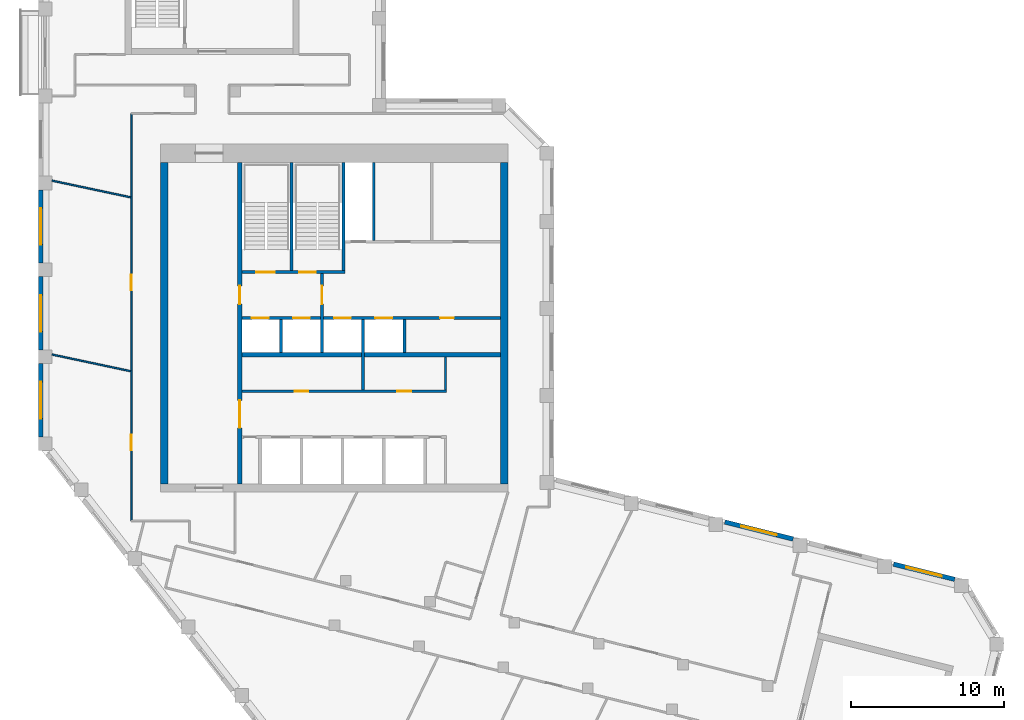
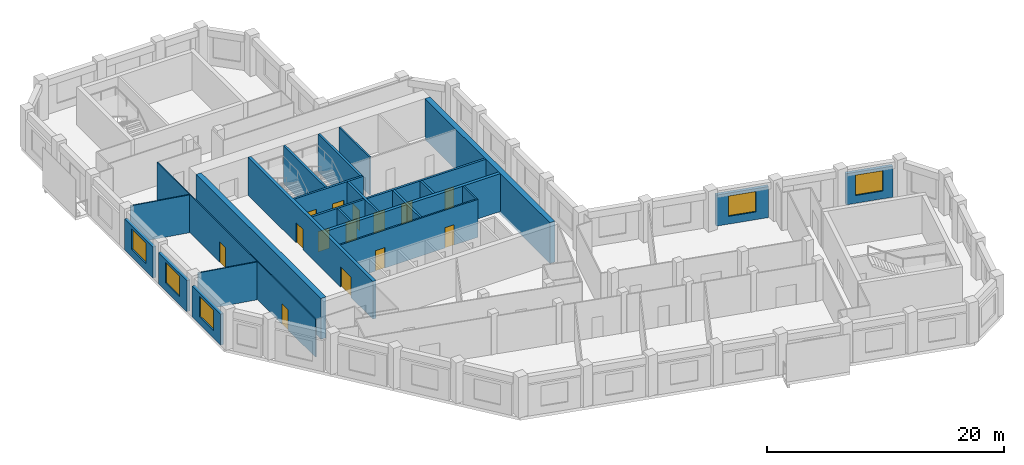
# One storey, part 5 of 8: 23 walls, 14 doors, 5 windows, 19 openings.
"""IFC4 building model written with IfcOpenShell, lengths in metres."""

from ifc_helpers import new_model, si_unit, direction, frame, frame_2d, origin, place, context, subcontext, project, spatial, rectangle, extrude, material, layer, layer_set, type_object, element, fill, save


model = new_model("IFC4")

# Units and contexts
model_context = context("Model", 3, precision=1e-05, world=origin(), true_north=direction((0.0, 1.0)))
body_context = subcontext(model_context, "Body", "Model", "MODEL_VIEW")
ifc_project = project(units=[si_unit("LENGTHUNIT", "METRE"), si_unit("AREAUNIT", "SQUARE_METRE"), si_unit("VOLUMEUNIT", "CUBIC_METRE"), si_unit("PLANEANGLEUNIT", "RADIAN"), si_unit("MASSUNIT", "GRAM", prefix="KILO")], contexts=[model_context])

# Site, building, storey
site_placement = place(None, origin())
site = spatial("IfcSite", under=ifc_project, at=site_placement, CompositionType="ELEMENT")
building_placement = place(site_placement, origin())
building = spatial("IfcBuilding", under=site, at=building_placement, Name="Meshkara Civic Tower", CompositionType="ELEMENT")
storey_placement = place(building_placement, frame((0.0, 0.0, 366.60009765625)))
storey = spatial("IfcBuildingStorey", under=building, at=storey_placement, Name="L84", CompositionType="ELEMENT", Elevation=366.60009765625)

# Wall, openings, doors
ifc_material_1 = material(Name="Blockwork", Category="masonry")
ifc_layer_1 = layer(ifc_material_1, 0.14990234375)
ifc_layer_set_1 = layer_set([ifc_layer_1], Name="Core partition 150")
wall_type_1 = type_object("IfcWallType", Name="Core partition 150", PredefinedType="PARTITIONING", material=ifc_layer_set_1)
wall_1_placement = place(storey_placement, frame((13.35009765625, 20.699951171875, 0.0), z_axis=(0.0, 0.0, 1.0), x_axis=(1.0, 0.0, 0.0)))
wall_1 = element("IfcWall", 1, at=wall_1_placement, inside=storey, type_object=wall_type_1, Name="L84-C006", PredefinedType="PARTITIONING", context=body_context, shape_type="SweptSolid", body=[
    extrude(rectangle(XDim=13.4248046875, YDim=0.14990234375, at=frame_2d((6.71240234375, 0.0))), origin(), (0.0, 0.0, 1.0), 3.89990234375),
])
opening_1_placement = place(wall_1_placement, frame((3.449951171875, 0.0, 0.0)))
opening_1 = element("IfcOpeningElement", 2, at=opening_1_placement, cuts=wall_1, Name="Opening L84-K011", PredefinedType="OPENING", context=body_context, shape_type="SweptSolid", body=[
    extrude(rectangle(XDim=0.89990234375, YDim=2.10009765625, at=frame_2d((0.449951171875, 1.050048828125))), frame((0.0, 0.0849609375, 0.0), z_axis=(0.0, -1.0, 0.0), x_axis=(1.0, 0.0, 0.0)), (0.0, 0.0, 1.0), 0.169921875),
])
opening_2_placement = place(wall_1_placement, frame((10.199951171875, 0.0, 0.0)))
opening_2 = element("IfcOpeningElement", 3, at=opening_2_placement, cuts=wall_1, Name="Opening L84-K012", PredefinedType="OPENING", context=body_context, shape_type="SweptSolid", body=[
    extrude(rectangle(XDim=0.89990234375, YDim=2.10009765625, at=frame_2d((0.449951171875, 1.050048828125))), frame((0.0, 0.0849609375, 0.0), z_axis=(0.0, -1.0, 0.0), x_axis=(1.0, 0.0, 0.0)), (0.0, 0.0, 1.0), 0.169921875),
])
ifc_material_2 = material(Name="Timber door leaf in steel frame", Category="steel")
door_type_1 = type_object("IfcDoorType", Name="Core room door 900", OperationType="SINGLE_SWING_LEFT", PredefinedType="DOOR", material=ifc_material_2)
door_1_placement = place(opening_1_placement, origin())
door_1 = element("IfcDoor", 4, at=door_1_placement, inside=storey, type_object=door_type_1, Name="L84-K011", OperationType="SINGLE_SWING_RIGHT", OverallHeight=2.10009765625, OverallWidth=0.89990234375, PredefinedType="DOOR", context=body_context, shape_type="SweptSolid", body=[
    extrude(rectangle(XDim=0.89990234375, YDim=2.10009765625, at=frame_2d((0.449951171875, 1.050048828125))), frame((0.0, 0.02490234375, 0.0), z_axis=(0.0, -1.0, 0.0), x_axis=(1.0, 0.0, 0.0)), (0.0, 0.0, 1.0), 0.050048828125),
])
fill(opening_1, door_1)
door_2_placement = place(opening_2_placement, origin())
door_2 = element("IfcDoor", 5, at=door_2_placement, inside=storey, type_object=door_type_1, Name="L84-K012", OperationType="SINGLE_SWING_RIGHT", OverallHeight=2.10009765625, OverallWidth=0.89990234375, PredefinedType="DOOR", context=body_context, shape_type="SweptSolid", body=[
    extrude(rectangle(XDim=0.89990234375, YDim=2.10009765625, at=frame_2d((0.449951171875, 1.050048828125))), frame((0.0, 0.02490234375, 0.0), z_axis=(0.0, -1.0, 0.0), x_axis=(1.0, 0.0, 0.0)), (0.0, 0.0, 1.0), 0.050048828125),
])
fill(opening_2, door_2)

# Walls
wall_2_placement = place(storey_placement, frame((22.0, 30.574951171875, 0.0), z_axis=(0.0, 0.0, 1.0), x_axis=(0.0, 1.0, 0.0)))
element("IfcWall", 6, at=wall_2_placement, inside=storey, type_object=wall_type_1, Name="L84-C020", PredefinedType="PARTITIONING", context=body_context, shape_type="SweptSolid", body=[
    extrude(rectangle(XDim=5.125, YDim=0.14990234375, at=frame_2d((2.5625, 0.0))), origin(), (0.0, 0.0, 1.0), 3.89990234375),
])
wall_3_placement = place(storey_placement, frame((26.699951171875, 20.77490234375, 0.0), z_axis=(0.0, 0.0, 1.0), x_axis=(0.0, 1.0, 0.0)))
element("IfcWall", 7, at=wall_3_placement, inside=storey, type_object=wall_type_1, Name="L84-C026", PredefinedType="PARTITIONING", context=body_context, shape_type="SweptSolid", body=[
    extrude(rectangle(XDim=2.175048828125, YDim=0.14990234375, at=frame_2d((1.08740234375, 0.0))), origin(), (0.0, 0.0, 1.0), 3.89990234375),
])
ifc_material_3 = material(Name="Concrete C50", Category="concrete")
ifc_layer_2 = layer(ifc_material_3, 0.5)
ifc_layer_set_2 = layer_set([ifc_layer_2], Name="Core ring wall 500 C50")
wall_type_2 = type_object("IfcWallType", Name="Core ring wall 500 C50", PredefinedType="SHEAR", material=ifc_layer_set_2)
for number, where, z_axis, x_axis, name in (
    (8, (8.25, 14.60009765625, -0.300048828125), (0.0, 0.0, 1.0), (0.0, 1.0, 0.0), "L84-C003"),
    (9, (30.550048828125, 14.60009765625, -0.300048828125), (0.0, 0.0, 1.0), (0.0, 1.0, 0.0), "L84-C004"),
):
    element("IfcWall", number, at=place(storey_placement, frame(where, z_axis=z_axis, x_axis=x_axis)), inside=storey, type_object=wall_type_2, Name=name, PredefinedType="SHEAR", context=body_context, shape_type="SweptSolid", body=[
        extrude(rectangle(XDim=21.099853515625, YDim=0.5, at=frame_2d((10.5498046875, 0.0))), origin(), (0.0, 0.0, 1.0), 4.199951171875),
    ])
ifc_material_4 = material(Name="Concrete C50", Category="concrete")
ifc_layer_3 = layer(ifc_material_4, 0.300048828125)
ifc_layer_set_3 = layer_set([ifc_layer_3], Name="Core shear wall 300 C50")
wall_type_3 = type_object("IfcWallType", Name="Core shear wall 300 C50", PredefinedType="SHEAR", material=ifc_layer_set_3)
wall_4_placement = place(storey_placement, frame((13.35009765625, 23.10009765625, 0.0), z_axis=(0.0, 0.0, 1.0), x_axis=(1.0, 0.0, 0.0)))
element("IfcWall", 10, at=wall_4_placement, inside=storey, type_object=wall_type_3, Name="L84-C007", PredefinedType="SHEAR", context=body_context, shape_type="SweptSolid", body=[
    extrude(rectangle(XDim=16.949951171875, YDim=0.300048828125, at=frame_2d((8.47509765625, 0.0))), origin(), (0.0, 0.0, 1.0), 3.89990234375),
])

# Wall, openings, doors
wall_5_placement = place(storey_placement, frame((13.199951171875, 14.60009765625, 0.0), z_axis=(0.0, 0.0, 1.0), x_axis=(0.0, 1.0, 0.0)))
wall_5 = element("IfcWall", 11, at=wall_5_placement, inside=storey, type_object=wall_type_3, Name="L84-C011", PredefinedType="SHEAR", context=body_context, shape_type="SweptSolid", body=[
    extrude(rectangle(XDim=21.099853515625, YDim=0.300048828125, at=frame_2d((10.5498046875, 0.0))), origin(), (0.0, 0.0, 1.0), 3.89990234375),
])
opening_3_placement = place(wall_5_placement, frame((3.699951171875, 0.0, 0.0)))
opening_3 = element("IfcOpeningElement", 12, at=opening_3_placement, cuts=wall_5, Name="Opening L84-K019", PredefinedType="OPENING", context=body_context, shape_type="SweptSolid", body=[
    extrude(rectangle(XDim=1.800048828125, YDim=2.10009765625, at=frame_2d((0.89990234375, 1.050048828125))), frame((0.0, 0.159912109375, 0.0), z_axis=(0.0, -1.0, 0.0), x_axis=(1.0, 0.0, 0.0)), (0.0, 0.0, 1.0), 0.320068359375),
])
opening_4_placement = place(wall_5_placement, frame((11.800048828125, 0.0, 0.0)))
opening_4 = element("IfcOpeningElement", 13, at=opening_4_placement, cuts=wall_5, Name="Opening L84-K020", PredefinedType="OPENING", context=body_context, shape_type="SweptSolid", body=[
    extrude(rectangle(XDim=1.199951171875, YDim=2.10009765625, at=frame_2d((0.60009765625, 1.050048828125))), frame((0.0, 0.159912109375, 0.0), z_axis=(0.0, -1.0, 0.0), x_axis=(1.0, 0.0, 0.0)), (0.0, 0.0, 1.0), 0.320068359375),
])
ifc_material_5 = material(Name="Fire-rated door leaf in steel frame", Category="steel")
door_type_2 = type_object("IfcDoorType", Name="Core double door 1800 EI 60", OperationType="DOUBLE_DOOR_SINGLE_SWING", PredefinedType="DOOR", material=ifc_material_5)
door_3_placement = place(opening_3_placement, origin())
door_3 = element("IfcDoor", 14, at=door_3_placement, inside=storey, type_object=door_type_2, Name="L84-K019", OperationType="DOUBLE_DOOR_SINGLE_SWING", OverallHeight=2.10009765625, OverallWidth=1.800048828125, PredefinedType="DOOR", context=body_context, shape_type="SweptSolid", body=[
    extrude(rectangle(XDim=1.800048828125, YDim=2.10009765625, at=frame_2d((0.89990234375, 1.050048828125))), frame((0.0, 0.02490234375, 0.0), z_axis=(0.0, -1.0, 0.0), x_axis=(1.0, 0.0, 0.0)), (0.0, 0.0, 1.0), 0.050048828125),
])
fill(opening_3, door_3)
ifc_material_6 = material(Name="Fire-rated door leaf in steel frame", Category="steel")
door_type_3 = type_object("IfcDoorType", Name="Fire-fighting lobby door 1200 EI 120", OperationType="SINGLE_SWING_LEFT", PredefinedType="DOOR", material=ifc_material_6)
door_4_placement = place(opening_4_placement, origin())
door_4 = element("IfcDoor", 15, at=door_4_placement, inside=storey, type_object=door_type_3, Name="L84-K020", OperationType="SINGLE_SWING_LEFT", OverallHeight=2.10009765625, OverallWidth=1.199951171875, PredefinedType="DOOR", context=body_context, shape_type="SweptSolid", body=[
    extrude(rectangle(XDim=1.199951171875, YDim=2.10009765625, at=frame_2d((0.60009765625, 1.050048828125))), frame((0.0, 0.02490234375, 0.0), z_axis=(0.0, -1.0, 0.0), x_axis=(1.0, 0.0, 0.0)), (0.0, 0.0, 1.0), 0.050048828125),
])
fill(opening_4, door_4)

ifc_material_7 = material(Name="Corridor wall 100")
ifc_layer_4 = layer(ifc_material_7, 0.10009765625)
ifc_layer_set_4 = layer_set([ifc_layer_4], Name="Corridor wall 100")
wall_type_4 = type_object("IfcWallType", Name="Corridor wall 100", PredefinedType="PARTITIONING", material=ifc_layer_set_4)
wall_6_placement = place(storey_placement, frame((6.10009765625, 38.89990234375, 0.0), z_axis=(0.0, 0.0, 1.0), x_axis=(0.0, -1.0, 0.0)))
wall_6 = element("IfcWall", 16, at=wall_6_placement, inside=storey, type_object=wall_type_4, Name="L84-W005", PredefinedType="PARTITIONING", context=body_context, shape_type="SweptSolid", body=[
    extrude(rectangle(XDim=26.699951171875, YDim=0.10009765625, at=frame_2d((13.35009765625, 0.0))), origin(), (0.0, 0.0, 1.0), 3.89990234375),
])
opening_5_placement = place(wall_6_placement, frame((21.068115234375, 0.0, 0.0)))
opening_5 = element("IfcOpeningElement", 17, at=opening_5_placement, cuts=wall_6, Name="Opening L84-D012", PredefinedType="OPENING", context=body_context, shape_type="SweptSolid", body=[
    extrude(rectangle(XDim=1.0, YDim=2.10009765625, at=frame_2d((0.5, 1.050048828125))), frame((0.0, 0.06005859375, 0.0), z_axis=(0.0, -1.0, 0.0), x_axis=(1.0, 0.0, 0.0)), (0.0, 0.0, 1.0), 0.1201171875),
])
opening_6_placement = place(wall_6_placement, frame((10.568115234375, 0.0, 0.0)))
opening_6 = element("IfcOpeningElement", 18, at=opening_6_placement, cuts=wall_6, Name="Opening L84-D013", PredefinedType="OPENING", context=body_context, shape_type="SweptSolid", body=[
    extrude(rectangle(XDim=1.0, YDim=2.10009765625, at=frame_2d((0.5, 1.050048828125))), frame((0.0, 0.06005859375, 0.0), z_axis=(0.0, -1.0, 0.0), x_axis=(1.0, 0.0, 0.0)), (0.0, 0.0, 1.0), 0.1201171875),
])
ifc_material_8 = material(Name="Door 1000 x 2100")
door_type_4 = type_object("IfcDoorType", Name="Door 1000 x 2100", OperationType="SINGLE_SWING_LEFT", PredefinedType="DOOR", material=ifc_material_8)
door_5_placement = place(opening_5_placement, origin())
door_5 = element("IfcDoor", 19, at=door_5_placement, inside=storey, type_object=door_type_4, Name="L84-D012", OperationType="SINGLE_SWING_RIGHT", OverallHeight=2.10009765625, OverallWidth=1.0, PredefinedType="DOOR", context=body_context, shape_type="SweptSolid", body=[
    extrude(rectangle(XDim=1.0, YDim=2.10009765625, at=frame_2d((0.5, 1.050048828125))), frame((0.0, 0.02490234375, 0.0), z_axis=(0.0, -1.0, 0.0), x_axis=(1.0, 0.0, 0.0)), (0.0, 0.0, 1.0), 0.050048828125),
])
fill(opening_5, door_5)
door_6_placement = place(opening_6_placement, origin())
door_6 = element("IfcDoor", 20, at=door_6_placement, inside=storey, type_object=door_type_4, Name="L84-D013", OperationType="SINGLE_SWING_RIGHT", OverallHeight=2.10009765625, OverallWidth=1.0, PredefinedType="DOOR", context=body_context, shape_type="SweptSolid", body=[
    extrude(rectangle(XDim=1.0, YDim=2.10009765625, at=frame_2d((0.5, 1.050048828125))), frame((0.0, 0.02490234375, 0.0), z_axis=(0.0, -1.0, 0.0), x_axis=(1.0, 0.0, 0.0)), (0.0, 0.0, 1.0), 0.050048828125),
])
fill(opening_6, door_6)

# Wall, opening, window
ifc_material_9 = material(Name="Insulated infill panel with bronze anodised aluminium cladding", Category="aluminium")
ifc_layer_5 = layer(ifc_material_9, 0.300048828125)
ifc_layer_set_5 = layer_set([ifc_layer_5], Name="EXTERNAL INFILL WALL 300")
wall_type_5 = type_object("IfcWallType", Name="EXTERNAL INFILL WALL 300", PredefinedType="SOLIDWALL", material=ifc_layer_set_5)
wall_7_placement = place(storey_placement, frame((60.075927734375, 8.364990234375, 0.0), z_axis=(0.0, 0.0, 1.0), x_axis=(-0.970323340708, 0.24181111322, 0.0)))
wall_7 = element("IfcWall", 21, at=wall_7_placement, inside=storey, type_object=wall_type_5, Name="External wall", PredefinedType="SOLIDWALL", context=body_context, shape_type="SweptSolid", body=[
    extrude(rectangle(XDim=4.123291015625, YDim=0.300048828125, at=frame_2d((2.0615234375, 0.0))), origin(), (0.0, 0.0, 1.0), 3.199951171875),
])
opening_7_placement = place(wall_7_placement, frame((0.862060546875, 0.0, 0.800048828125)))
opening_7 = element("IfcOpeningElement", 22, at=opening_7_placement, cuts=wall_7, Name="Opening W7", PredefinedType="OPENING", context=body_context, shape_type="SweptSolid", body=[
    extrude(rectangle(XDim=2.39990234375, YDim=2.10009765625, at=frame_2d((1.199951171875, 1.050048828125))), frame((0.0, 0.159912109375, 0.0), z_axis=(0.0, -1.0, 0.0), x_axis=(1.0, 0.0, 0.0)), (0.0, 0.0, 1.0), 0.320068359375),
])
ifc_material_10 = material(Name="Tinted double glazing", Category="glass")
window_type = type_object("IfcWindowType", Name="WINDOW 2400x2100", PartitioningType="DOUBLE_PANEL_VERTICAL", PredefinedType="WINDOW", material=ifc_material_10)
window_1_placement = place(opening_7_placement, origin())
window_1 = element("IfcWindow", 23, at=window_1_placement, inside=storey, type_object=window_type, Name="Window", OverallHeight=2.10009765625, OverallWidth=2.39990234375, PartitioningType="DOUBLE_PANEL_VERTICAL", PredefinedType="WINDOW", context=body_context, shape_type="SweptSolid", body=[
    extrude(rectangle(XDim=2.39990234375, YDim=2.10009765625, at=frame_2d((1.199951171875, 1.050048828125))), frame((0.0, 0.030029296875, 0.0), z_axis=(0.0, -1.0, 0.0), x_axis=(1.0, 0.0, 0.0)), (0.0, 0.0, 1.0), 0.06005859375),
])
fill(opening_7, window_1)

wall_8_placement = place(storey_placement, frame((49.485107421875, 11.0048828125, 0.0), z_axis=(0.0, 0.0, 1.0), x_axis=(-0.970235897967, 0.242161727563, 0.0)))
wall_8 = element("IfcWall", 24, at=wall_8_placement, inside=storey, type_object=wall_type_5, Name="External wall", PredefinedType="SOLIDWALL", context=body_context, shape_type="SweptSolid", body=[
    extrude(rectangle(XDim=4.609375, YDim=0.300048828125, at=frame_2d((2.3046875, 0.0))), origin(), (0.0, 0.0, 1.0), 3.199951171875),
])
opening_8_placement = place(wall_8_placement, frame((1.10498046875, 0.0, 0.800048828125)))
opening_8 = element("IfcOpeningElement", 25, at=opening_8_placement, cuts=wall_8, Name="Opening W7", PredefinedType="OPENING", context=body_context, shape_type="SweptSolid", body=[
    extrude(rectangle(XDim=2.39990234375, YDim=2.10009765625, at=frame_2d((1.199951171875, 1.050048828125))), frame((0.0, 0.159912109375, 0.0), z_axis=(0.0, -1.0, 0.0), x_axis=(1.0, 0.0, 0.0)), (0.0, 0.0, 1.0), 0.320068359375),
])
window_2_placement = place(opening_8_placement, origin())
window_2 = element("IfcWindow", 26, at=window_2_placement, inside=storey, type_object=window_type, Name="Window", OverallHeight=2.10009765625, OverallWidth=2.39990234375, PartitioningType="DOUBLE_PANEL_VERTICAL", PredefinedType="WINDOW", context=body_context, shape_type="SweptSolid", body=[
    extrude(rectangle(XDim=2.39990234375, YDim=2.10009765625, at=frame_2d((1.199951171875, 1.050048828125))), frame((0.0, 0.030029296875, 0.0), z_axis=(0.0, -1.0, 0.0), x_axis=(1.0, 0.0, 0.0)), (0.0, 0.0, 1.0), 0.06005859375),
])
fill(opening_8, window_2)

wall_9_placement = place(storey_placement, frame((0.14990234375, 33.905029296875, 0.0), z_axis=(0.0, 0.0, 1.0), x_axis=(0.0, -1.0, 0.0)))
wall_9 = element("IfcWall", 27, at=wall_9_placement, inside=storey, type_object=wall_type_5, Name="External wall", PredefinedType="SOLIDWALL", context=body_context, shape_type="SweptSolid", body=[
    extrude(rectangle(XDim=4.800048828125, YDim=0.300048828125, at=frame_2d((2.39990234375, 0.0))), origin(), (0.0, 0.0, 1.0), 3.199951171875),
])
opening_9_placement = place(wall_9_placement, frame((1.199951171875, 0.0, 0.800048828125)))
opening_9 = element("IfcOpeningElement", 28, at=opening_9_placement, cuts=wall_9, Name="Opening W7", PredefinedType="OPENING", context=body_context, shape_type="SweptSolid", body=[
    extrude(rectangle(XDim=2.39990234375, YDim=2.10009765625, at=frame_2d((1.199951171875, 1.050048828125))), frame((0.0, 0.159912109375, 0.0), z_axis=(0.0, -1.0, 0.0), x_axis=(1.0, 0.0, 0.0)), (0.0, 0.0, 1.0), 0.320068359375),
])
window_3_placement = place(opening_9_placement, origin())
window_3 = element("IfcWindow", 29, at=window_3_placement, inside=storey, type_object=window_type, Name="Window", OverallHeight=2.10009765625, OverallWidth=2.39990234375, PartitioningType="DOUBLE_PANEL_VERTICAL", PredefinedType="WINDOW", context=body_context, shape_type="SweptSolid", body=[
    extrude(rectangle(XDim=2.39990234375, YDim=2.10009765625, at=frame_2d((1.199951171875, 1.050048828125))), frame((0.0, 0.030029296875, 0.0), z_axis=(0.0, -1.0, 0.0), x_axis=(1.0, 0.0, 0.0)), (0.0, 0.0, 1.0), 0.06005859375),
])
fill(opening_9, window_3)

wall_10_placement = place(storey_placement, frame((0.14990234375, 28.205078125, 0.0), z_axis=(0.0, 0.0, 1.0), x_axis=(0.0, -1.0, 0.0)))
wall_10 = element("IfcWall", 30, at=wall_10_placement, inside=storey, type_object=wall_type_5, Name="External wall", PredefinedType="SOLIDWALL", context=body_context, shape_type="SweptSolid", body=[
    extrude(rectangle(XDim=4.800048828125, YDim=0.300048828125, at=frame_2d((2.39990234375, 0.0))), origin(), (0.0, 0.0, 1.0), 3.199951171875),
])
opening_10_placement = place(wall_10_placement, frame((1.199951171875, 0.0, 0.800048828125)))
opening_10 = element("IfcOpeningElement", 31, at=opening_10_placement, cuts=wall_10, Name="Opening W7", PredefinedType="OPENING", context=body_context, shape_type="SweptSolid", body=[
    extrude(rectangle(XDim=2.39990234375, YDim=2.10009765625, at=frame_2d((1.199951171875, 1.050048828125))), frame((0.0, 0.159912109375, 0.0), z_axis=(0.0, -1.0, 0.0), x_axis=(1.0, 0.0, 0.0)), (0.0, 0.0, 1.0), 0.320068359375),
])
window_4_placement = place(opening_10_placement, origin())
window_4 = element("IfcWindow", 32, at=window_4_placement, inside=storey, type_object=window_type, Name="Window", OverallHeight=2.10009765625, OverallWidth=2.39990234375, PartitioningType="DOUBLE_PANEL_VERTICAL", PredefinedType="WINDOW", context=body_context, shape_type="SweptSolid", body=[
    extrude(rectangle(XDim=2.39990234375, YDim=2.10009765625, at=frame_2d((1.199951171875, 1.050048828125))), frame((0.0, 0.030029296875, 0.0), z_axis=(0.0, -1.0, 0.0), x_axis=(1.0, 0.0, 0.0)), (0.0, 0.0, 1.0), 0.06005859375),
])
fill(opening_10, window_4)

wall_11_placement = place(storey_placement, frame((0.14990234375, 22.5048828125, 0.0), z_axis=(0.0, 0.0, 1.0), x_axis=(0.0, -1.0, 0.0)))
wall_11 = element("IfcWall", 33, at=wall_11_placement, inside=storey, type_object=wall_type_5, Name="External wall", PredefinedType="SOLIDWALL", context=body_context, shape_type="SweptSolid", body=[
    extrude(rectangle(XDim=4.7998046875, YDim=0.300048828125, at=frame_2d((2.39990234375, 0.0))), origin(), (0.0, 0.0, 1.0), 3.199951171875),
])
opening_11_placement = place(wall_11_placement, frame((1.199951171875, 0.0, 0.800048828125)))
opening_11 = element("IfcOpeningElement", 34, at=opening_11_placement, cuts=wall_11, Name="Opening W7", PredefinedType="OPENING", context=body_context, shape_type="SweptSolid", body=[
    extrude(rectangle(XDim=2.39990234375, YDim=2.10009765625, at=frame_2d((1.199951171875, 1.050048828125))), frame((0.0, 0.159912109375, 0.0), z_axis=(0.0, -1.0, 0.0), x_axis=(1.0, 0.0, 0.0)), (0.0, 0.0, 1.0), 0.320068359375),
])
window_5_placement = place(opening_11_placement, origin())
window_5 = element("IfcWindow", 35, at=window_5_placement, inside=storey, type_object=window_type, Name="Window", OverallHeight=2.10009765625, OverallWidth=2.39990234375, PartitioningType="DOUBLE_PANEL_VERTICAL", PredefinedType="WINDOW", context=body_context, shape_type="SweptSolid", body=[
    extrude(rectangle(XDim=2.39990234375, YDim=2.10009765625, at=frame_2d((1.199951171875, 1.050048828125))), frame((0.0, 0.030029296875, 0.0), z_axis=(0.0, -1.0, 0.0), x_axis=(1.0, 0.0, 0.0)), (0.0, 0.0, 1.0), 0.06005859375),
])
fill(opening_11, window_5)

# Walls
ifc_material_11 = material(Name="Partition 100")
ifc_layer_6 = layer(ifc_material_11, 0.10009765625)
ifc_layer_set_6 = layer_set([ifc_layer_6], Name="Partition 100")
wall_type_6 = type_object("IfcWallType", Name="Partition 100", PredefinedType="PARTITIONING", material=ifc_layer_set_6)
for number, where, z_axis, x_axis, name in (
    (36, (6.0400390625, 22.011962890625, 0.0), (0.0, 0.0, 1.0), (-0.978168059991, 0.207815414284, 0.0), "L84-W040"),
    (37, (6.0400390625, 33.412109375, 0.0), (0.0, 0.0, 1.0), (-0.978177503379, 0.207770960155, 0.0), "L84-W041"),
):
    element("IfcWall", number, at=place(storey_placement, frame(where, z_axis=z_axis, x_axis=x_axis)), inside=storey, type_object=wall_type_6, Name=name, PredefinedType="PARTITIONING", context=body_context, shape_type="SweptSolid", body=[
        extrude(rectangle(XDim=5.2548828125, YDim=0.10009765625, at=frame_2d((2.62744140625, 0.0))), origin(), (0.0, 0.0, 1.0), 3.89990234375),
    ])

# Wall, openings, doors
ifc_material_12 = material(Name="Concrete C40/50", Category="concrete")
ifc_layer_7 = layer(ifc_material_12, 0.199951171875)
ifc_layer_set_7 = layer_set([ifc_layer_7], Name="Shaft wall 200 C40/50")
wall_type_7 = type_object("IfcWallType", Name="Shaft wall 200 C40/50", PredefinedType="SOLIDWALL", material=ifc_layer_set_7)
wall_12_placement = place(storey_placement, frame((13.35009765625, 25.5, 0.0), z_axis=(0.0, 0.0, 1.0), x_axis=(1.0, 0.0, 0.0)))
wall_12 = element("IfcWall", 38, at=wall_12_placement, inside=storey, type_object=wall_type_7, Name="L84-C008", PredefinedType="SOLIDWALL", context=body_context, shape_type="SweptSolid", body=[
    extrude(rectangle(XDim=16.949951171875, YDim=0.199951171875, at=frame_2d((8.47509765625, 0.0))), origin(), (0.0, 0.0, 1.0), 3.89990234375),
])
opening_12_placement = place(wall_12_placement, frame((0.64990234375, 0.0, 0.0)))
opening_12 = element("IfcOpeningElement", 39, at=opening_12_placement, cuts=wall_12, Name="Opening L84-K005", PredefinedType="OPENING", context=body_context, shape_type="SweptSolid", body=[
    extrude(rectangle(XDim=1.10009765625, YDim=2.10009765625, at=frame_2d((0.550048828125, 1.050048828125))), frame((0.0, 0.10986328125, 0.0), z_axis=(0.0, -1.0, 0.0), x_axis=(1.0, 0.0, 0.0)), (0.0, 0.0, 1.0), 0.219970703125),
])
opening_13_placement = place(wall_12_placement, frame((3.35009765625, 0.0, 0.0)))
opening_13 = element("IfcOpeningElement", 40, at=opening_13_placement, cuts=wall_12, Name="Opening L84-K006", PredefinedType="OPENING", context=body_context, shape_type="SweptSolid", body=[
    extrude(rectangle(XDim=1.10009765625, YDim=2.10009765625, at=frame_2d((0.550048828125, 1.050048828125))), frame((0.0, 0.10986328125, 0.0), z_axis=(0.0, -1.0, 0.0), x_axis=(1.0, 0.0, 0.0)), (0.0, 0.0, 1.0), 0.219970703125),
])
opening_14_placement = place(wall_12_placement, frame((6.050048828125, 0.0, 0.0)))
opening_14 = element("IfcOpeningElement", 41, at=opening_14_placement, cuts=wall_12, Name="Opening L84-K007", PredefinedType="OPENING", context=body_context, shape_type="SweptSolid", body=[
    extrude(rectangle(XDim=1.10009765625, YDim=2.10009765625, at=frame_2d((0.550048828125, 1.050048828125))), frame((0.0, 0.10986328125, 0.0), z_axis=(0.0, -1.0, 0.0), x_axis=(1.0, 0.0, 0.0)), (0.0, 0.0, 1.0), 0.219970703125),
])
opening_15_placement = place(wall_12_placement, frame((8.75, 0.0, 0.0)))
opening_15 = element("IfcOpeningElement", 42, at=opening_15_placement, cuts=wall_12, Name="Opening L84-K008", PredefinedType="OPENING", context=body_context, shape_type="SweptSolid", body=[
    extrude(rectangle(XDim=1.10009765625, YDim=2.10009765625, at=frame_2d((0.550048828125, 1.050048828125))), frame((0.0, 0.10986328125, 0.0), z_axis=(0.0, -1.0, 0.0), x_axis=(1.0, 0.0, 0.0)), (0.0, 0.0, 1.0), 0.219970703125),
])
opening_16_placement = place(wall_12_placement, frame((13.0, 0.0, 0.0)))
opening_16 = element("IfcOpeningElement", 43, at=opening_16_placement, cuts=wall_12, Name="Opening L84-K013", PredefinedType="OPENING", context=body_context, shape_type="SweptSolid", body=[
    extrude(rectangle(XDim=0.89990234375, YDim=2.10009765625, at=frame_2d((0.449951171875, 1.050048828125))), frame((0.0, 0.10986328125, 0.0), z_axis=(0.0, -1.0, 0.0), x_axis=(1.0, 0.0, 0.0)), (0.0, 0.0, 1.0), 0.219970703125),
])
door_7_placement = place(opening_16_placement, origin())
door_7 = element("IfcDoor", 44, at=door_7_placement, inside=storey, type_object=door_type_1, Name="L84-K013", OperationType="SINGLE_SWING_LEFT", OverallHeight=2.10009765625, OverallWidth=0.89990234375, PredefinedType="DOOR", context=body_context, shape_type="SweptSolid", body=[
    extrude(rectangle(XDim=0.89990234375, YDim=2.10009765625, at=frame_2d((0.449951171875, 1.050048828125))), frame((0.0, 0.02490234375, 0.0), z_axis=(0.0, -1.0, 0.0), x_axis=(1.0, 0.0, 0.0)), (0.0, 0.0, 1.0), 0.050048828125),
])
fill(opening_16, door_7)
ifc_material_13 = material(Name="Stainless steel landing door", Category="steel")
door_type_5 = type_object("IfcDoorType", Name="Lift landing door 1100", OperationType="SLIDING_TO_LEFT", PredefinedType="DOOR", material=ifc_material_13)
door_8_placement = place(opening_12_placement, origin())
door_8 = element("IfcDoor", 45, at=door_8_placement, inside=storey, type_object=door_type_5, Name="L84-K005", OperationType="SLIDING_TO_LEFT", OverallHeight=2.10009765625, OverallWidth=1.10009765625, PredefinedType="DOOR", context=body_context, shape_type="SweptSolid", body=[
    extrude(rectangle(XDim=1.10009765625, YDim=2.10009765625, at=frame_2d((0.550048828125, 1.050048828125))), frame((0.0, 0.02490234375, 0.0), z_axis=(0.0, -1.0, 0.0), x_axis=(1.0, 0.0, 0.0)), (0.0, 0.0, 1.0), 0.050048828125),
])
fill(opening_12, door_8)
door_9_placement = place(opening_13_placement, origin())
door_9 = element("IfcDoor", 46, at=door_9_placement, inside=storey, type_object=door_type_5, Name="L84-K006", OperationType="SLIDING_TO_LEFT", OverallHeight=2.10009765625, OverallWidth=1.10009765625, PredefinedType="DOOR", context=body_context, shape_type="SweptSolid", body=[
    extrude(rectangle(XDim=1.10009765625, YDim=2.10009765625, at=frame_2d((0.550048828125, 1.050048828125))), frame((0.0, 0.02490234375, 0.0), z_axis=(0.0, -1.0, 0.0), x_axis=(1.0, 0.0, 0.0)), (0.0, 0.0, 1.0), 0.050048828125),
])
fill(opening_13, door_9)
door_10_placement = place(opening_14_placement, origin())
door_10 = element("IfcDoor", 47, at=door_10_placement, inside=storey, type_object=door_type_5, Name="L84-K007", OperationType="SLIDING_TO_LEFT", OverallHeight=2.10009765625, OverallWidth=1.10009765625, PredefinedType="DOOR", context=body_context, shape_type="SweptSolid", body=[
    extrude(rectangle(XDim=1.10009765625, YDim=2.10009765625, at=frame_2d((0.550048828125, 1.050048828125))), frame((0.0, 0.02490234375, 0.0), z_axis=(0.0, -1.0, 0.0), x_axis=(1.0, 0.0, 0.0)), (0.0, 0.0, 1.0), 0.050048828125),
])
fill(opening_14, door_10)
door_11_placement = place(opening_15_placement, origin())
door_11 = element("IfcDoor", 48, at=door_11_placement, inside=storey, type_object=door_type_5, Name="L84-K008", OperationType="SLIDING_TO_LEFT", OverallHeight=2.10009765625, OverallWidth=1.10009765625, PredefinedType="DOOR", context=body_context, shape_type="SweptSolid", body=[
    extrude(rectangle(XDim=1.10009765625, YDim=2.10009765625, at=frame_2d((0.550048828125, 1.050048828125))), frame((0.0, 0.02490234375, 0.0), z_axis=(0.0, -1.0, 0.0), x_axis=(1.0, 0.0, 0.0)), (0.0, 0.0, 1.0), 0.050048828125),
])
fill(opening_15, door_11)

# Wall
wall_13_placement = place(storey_placement, frame((15.89990234375, 23.25, 0.0), z_axis=(0.0, 0.0, 1.0), x_axis=(0.0, 1.0, 0.0)))
element("IfcWall", 49, at=wall_13_placement, inside=storey, type_object=wall_type_7, Name="L84-C013", PredefinedType="SOLIDWALL", context=body_context, shape_type="SweptSolid", body=[
    extrude(rectangle(XDim=2.14990234375, YDim=0.199951171875, at=frame_2d((1.074951171875, 0.0))), origin(), (0.0, 0.0, 1.0), 3.89990234375),
])

# Wall, opening, door
wall_14_placement = place(storey_placement, frame((18.60009765625, 23.25, 0.0), z_axis=(0.0, 0.0, 1.0), x_axis=(0.0, 1.0, 0.0)))
wall_14 = element("IfcWall", 50, at=wall_14_placement, inside=storey, type_object=wall_type_7, Name="L84-C016", PredefinedType="SOLIDWALL", context=body_context, shape_type="SweptSolid", body=[
    extrude(rectangle(XDim=5.14990234375, YDim=0.199951171875, at=frame_2d((2.574951171875, 0.0))), origin(), (0.0, 0.0, 1.0), 3.89990234375),
])
opening_17_placement = place(wall_14_placement, frame((3.14990234375, 0.0, 0.0)))
opening_17 = element("IfcOpeningElement", 51, at=opening_17_placement, cuts=wall_14, Name="Opening L84-K021", PredefinedType="OPENING", context=body_context, shape_type="SweptSolid", body=[
    extrude(rectangle(XDim=1.199951171875, YDim=2.10009765625, at=frame_2d((0.60009765625, 1.050048828125))), frame((0.0, 0.10986328125, 0.0), z_axis=(0.0, -1.0, 0.0), x_axis=(1.0, 0.0, 0.0)), (0.0, 0.0, 1.0), 0.219970703125),
])
door_12_placement = place(opening_17_placement, origin())
door_12 = element("IfcDoor", 52, at=door_12_placement, inside=storey, type_object=door_type_3, Name="L84-K021", OperationType="SINGLE_SWING_RIGHT", OverallHeight=2.10009765625, OverallWidth=1.199951171875, PredefinedType="DOOR", context=body_context, shape_type="SweptSolid", body=[
    extrude(rectangle(XDim=1.199951171875, YDim=2.10009765625, at=frame_2d((0.60009765625, 1.050048828125))), frame((0.0, 0.02490234375, 0.0), z_axis=(0.0, -1.0, 0.0), x_axis=(1.0, 0.0, 0.0)), (0.0, 0.0, 1.0), 0.050048828125),
])
fill(opening_17, door_12)

# Walls
wall_15_placement = place(storey_placement, frame((21.300048828125, 20.77490234375, 0.0), z_axis=(0.0, 0.0, 1.0), x_axis=(0.0, 1.0, 0.0)))
element("IfcWall", 53, at=wall_15_placement, inside=storey, type_object=wall_type_7, Name="L84-C019", PredefinedType="SOLIDWALL", context=body_context, shape_type="SweptSolid", body=[
    extrude(rectangle(XDim=4.625, YDim=0.199951171875, at=frame_2d((2.3125, 0.0))), origin(), (0.0, 0.0, 1.0), 3.89990234375),
])
wall_16_placement = place(storey_placement, frame((24.0, 23.25, 0.0), z_axis=(0.0, 0.0, 1.0), x_axis=(0.0, 1.0, 0.0)))
element("IfcWall", 54, at=wall_16_placement, inside=storey, type_object=wall_type_7, Name="L84-C022", PredefinedType="SOLIDWALL", context=body_context, shape_type="SweptSolid", body=[
    extrude(rectangle(XDim=2.14990234375, YDim=0.199951171875, at=frame_2d((1.074951171875, 0.0))), origin(), (0.0, 0.0, 1.0), 3.89990234375),
])

# Wall, openings, doors
ifc_material_14 = material(Name="Concrete C40/50", Category="concrete")
ifc_layer_8 = layer(ifc_material_14, 0.199951171875)
ifc_layer_set_8 = layer_set([ifc_layer_8], Name="Stair enclosure wall 200 C40/50")
wall_type_8 = type_object("IfcWallType", Name="Stair enclosure wall 200 C40/50", PredefinedType="SOLIDWALL", material=ifc_layer_set_8)
wall_17_placement = place(storey_placement, frame((13.35009765625, 28.5, 0.0), z_axis=(0.0, 0.0, 1.0), x_axis=(1.0, 0.0, 0.0)))
wall_17 = element("IfcWall", 55, at=wall_17_placement, inside=storey, type_object=wall_type_8, Name="L84-C009", PredefinedType="SOLIDWALL", context=body_context, shape_type="SweptSolid", body=[
    extrude(rectangle(XDim=6.75, YDim=0.199951171875, at=frame_2d((3.375, 0.0))), origin(), (0.0, 0.0, 1.0), 3.89990234375),
])
opening_18_placement = place(wall_17_placement, frame((0.949951171875, 0.0, 0.0)))
opening_18 = element("IfcOpeningElement", 56, at=opening_18_placement, cuts=wall_17, Name="Opening L84-K017", PredefinedType="OPENING", context=body_context, shape_type="SweptSolid", body=[
    extrude(rectangle(XDim=1.199951171875, YDim=2.10009765625, at=frame_2d((0.60009765625, 1.050048828125))), frame((0.0, 0.10986328125, 0.0), z_axis=(0.0, -1.0, 0.0), x_axis=(1.0, 0.0, 0.0)), (0.0, 0.0, 1.0), 0.219970703125),
])
opening_19_placement = place(wall_17_placement, frame((3.75, 0.0, 0.0)))
opening_19 = element("IfcOpeningElement", 57, at=opening_19_placement, cuts=wall_17, Name="Opening L84-K018", PredefinedType="OPENING", context=body_context, shape_type="SweptSolid", body=[
    extrude(rectangle(XDim=1.10009765625, YDim=2.10009765625, at=frame_2d((0.550048828125, 1.050048828125))), frame((0.0, 0.10986328125, 0.0), z_axis=(0.0, -1.0, 0.0), x_axis=(1.0, 0.0, 0.0)), (0.0, 0.0, 1.0), 0.219970703125),
])
ifc_material_15 = material(Name="Fire-rated door leaf in steel frame", Category="steel")
door_type_6 = type_object("IfcDoorType", Name="Stair door 1100 EI 120", OperationType="SINGLE_SWING_LEFT", PredefinedType="DOOR", material=ifc_material_15)
door_13_placement = place(opening_19_placement, origin())
door_13 = element("IfcDoor", 58, at=door_13_placement, inside=storey, type_object=door_type_6, Name="L84-K018", OperationType="SINGLE_SWING_LEFT", OverallHeight=2.10009765625, OverallWidth=1.10009765625, PredefinedType="DOOR", context=body_context, shape_type="SweptSolid", body=[
    extrude(rectangle(XDim=1.10009765625, YDim=2.10009765625, at=frame_2d((0.550048828125, 1.050048828125))), frame((0.0, 0.02490234375, 0.0), z_axis=(0.0, -1.0, 0.0), x_axis=(1.0, 0.0, 0.0)), (0.0, 0.0, 1.0), 0.050048828125),
])
fill(opening_19, door_13)
ifc_material_16 = material(Name="Fire-rated door leaf in steel frame", Category="steel")
door_type_7 = type_object("IfcDoorType", Name="Stair door 1200 EI 120", OperationType="SINGLE_SWING_LEFT", PredefinedType="DOOR", material=ifc_material_16)
door_14_placement = place(opening_18_placement, origin())
door_14 = element("IfcDoor", 59, at=door_14_placement, inside=storey, type_object=door_type_7, Name="L84-K017", OperationType="SINGLE_SWING_RIGHT", OverallHeight=2.10009765625, OverallWidth=1.199951171875, PredefinedType="DOOR", context=body_context, shape_type="SweptSolid", body=[
    extrude(rectangle(XDim=1.199951171875, YDim=2.10009765625, at=frame_2d((0.60009765625, 1.050048828125))), frame((0.0, 0.02490234375, 0.0), z_axis=(0.0, -1.0, 0.0), x_axis=(1.0, 0.0, 0.0)), (0.0, 0.0, 1.0), 0.050048828125),
])
fill(opening_18, door_14)

# Walls
for number, where, z_axis, x_axis, name in (
    (60, (16.60009765625, 28.60009765625, 0.0), (0.0, 0.0, 1.0), (0.0, 1.0, 0.0), "L84-C014"),
    (61, (20.0, 28.60009765625, 0.0), (0.0, 0.0, 1.0), (0.0, 1.0, 0.0), "L84-C018"),
):
    element("IfcWall", number, at=place(storey_placement, frame(where, z_axis=z_axis, x_axis=x_axis)), inside=storey, type_object=wall_type_8, Name=name, PredefinedType="SOLIDWALL", context=body_context, shape_type="SweptSolid", body=[
        extrude(rectangle(XDim=7.099853515625, YDim=0.199951171875, at=frame_2d((3.5498046875, 0.0))), origin(), (0.0, 0.0, 1.0), 3.89990234375),
    ])

save(model, "model.ifc")
